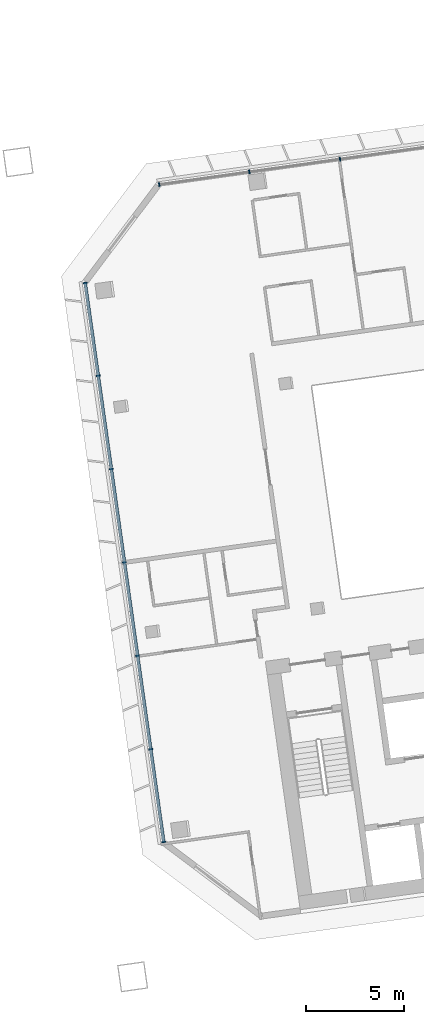
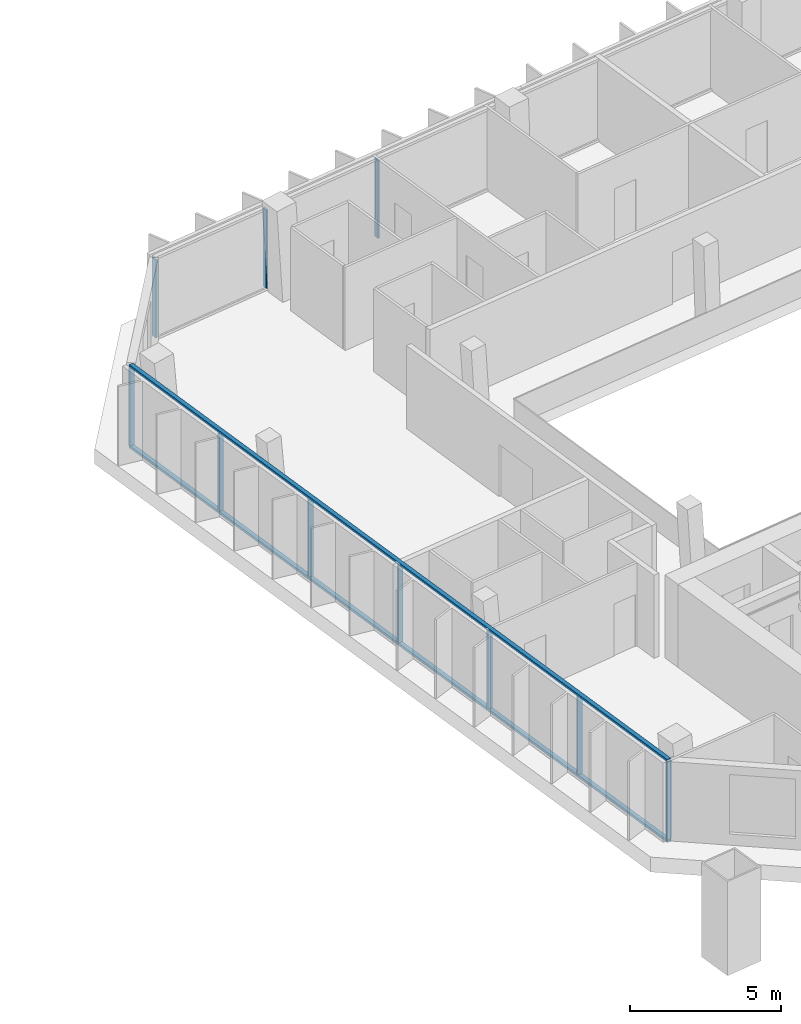
# One storey, part 7 of 22: 12 members, 2 elements without a shape of their own.
"""IFC4 building model written with IfcOpenShell, lengths in metres."""

from ifc_helpers import new_model, si_unit, direction, frame, origin, origin_2d, place, context, subcontext, project, spatial, rectangle, extrude, material, material_profile, profile_set, type_object, element, aggregate, save


model = new_model("IFC4")

# Units and contexts
model_context = context("Model", 3, precision=1e-05, world=origin(), true_north=direction((0.0, 1.0)))
body_context = subcontext(model_context, "Body", "Model", "MODEL_VIEW")
ifc_project = project(units=[si_unit("LENGTHUNIT", "METRE"), si_unit("AREAUNIT", "SQUARE_METRE"), si_unit("VOLUMEUNIT", "CUBIC_METRE"), si_unit("PLANEANGLEUNIT", "RADIAN"), si_unit("MASSUNIT", "GRAM", prefix="KILO")], contexts=[model_context])

# Site, building, storey
site_placement = place(None, origin())
site = spatial("IfcSite", under=ifc_project, at=site_placement, CompositionType="ELEMENT")
building_placement = place(site_placement, origin())
building = spatial("IfcBuilding", under=site, at=building_placement, Name="Mirante Cascada Hotel Towers", CompositionType="ELEMENT")
storey_placement = place(building_placement, frame((0.0, 0.0, 191.6)))
storey = spatial("IfcBuildingStorey", under=building, at=storey_placement, Name="L45", CompositionType="ELEMENT", Elevation=191.6)

# Curtain wall, members
ifc_material_1 = material(Name="Aluminium mullion and transom frame with clear laminated glass", Category="aluminium")
curtain_wall_type_1 = type_object("IfcCurtainWallType", Name="Ribbon curtain wall ECW1", PredefinedType="NOTDEFINED", material=ifc_material_1)
curtain_wall_1_placement = place(storey_placement, origin())
curtain_wall_1 = element("IfcCurtainWall", 1, at=curtain_wall_1_placement, inside=storey, type_object=curtain_wall_type_1, Name="Front ribbon wall T2 L45", PredefinedType="NOTDEFINED")
ifc_material_2 = material(Name="Anodised aluminium extrusion", Category="aluminium")
ifc_material_profile_1 = material_profile(ifc_material_2, rectangle(XDim=0.2, YDim=0.065, at=origin_2d()), Name="ECW1 MULLION 65x200")
ifc_profile_set_1 = profile_set([ifc_material_profile_1], Name="Anodised aluminium extrusion")
member_type_1 = type_object("IfcMemberType", Name="ECW1 mullion 65x200", PredefinedType="MULLION", material=ifc_profile_set_1)
member_1_placement = place(storey_placement, frame((39.3014, 18.3425, 0.1), z_axis=(0.0, 0.0, 1.0), x_axis=(0.1391731, -0.9902681, 0.0)))
member_1 = element("IfcMember", 2, at=member_1_placement, type_object=member_type_1, Name="ECW1 mullion 9", PredefinedType="MULLION", context=body_context, shape_type="SweptSolid", body=[
    extrude(rectangle(XDim=0.2, YDim=0.065, at=origin_2d()), origin(), (0.0, 0.0, 1.0), 3.15),
])
member_2_placement = place(storey_placement, frame((34.6724, 17.6919, 0.1), z_axis=(0.0, 0.0, 1.0), x_axis=(0.1391731, -0.9902681, 0.0)))
member_2 = element("IfcMember", 3, at=member_2_placement, type_object=member_type_1, Name="ECW1 mullion 10", PredefinedType="MULLION", context=body_context, shape_type="SweptSolid", body=[
    extrude(rectangle(XDim=0.2, YDim=0.065, at=origin_2d()), origin(), (0.0, 0.0, 1.0), 3.15),
])
member_3_placement = place(storey_placement, frame((30.0756, 17.0459, 0.1), z_axis=(0.0, 0.0, 1.0), x_axis=(0.1391731, -0.9902681, 0.0)))
member_3 = element("IfcMember", 4, at=member_3_placement, type_object=member_type_1, Name="ECW1 mullion 11", PredefinedType="MULLION", context=body_context, shape_type="SweptSolid", body=[
    extrude(rectangle(XDim=0.2, YDim=0.065, at=origin_2d()), origin(), (0.0, 0.0, 1.0), 3.15),
])
aggregate(curtain_wall_1, [member_1, member_2, member_3])

ifc_material_3 = material(Name="Aluminium mullion and transom frame with clear laminated glass", Category="aluminium")
curtain_wall_type_2 = type_object("IfcCurtainWallType", Name="End ribbon curtain wall ECW2", PredefinedType="NOTDEFINED", material=ifc_material_3)
curtain_wall_2_placement = place(storey_placement, origin())
curtain_wall_2 = element("IfcCurtainWall", 5, at=curtain_wall_2_placement, inside=storey, type_object=curtain_wall_type_2, Name="Inner end wall T2 L45", PredefinedType="NOTDEFINED")
ifc_material_4 = material(Name="Anodised aluminium extrusion", Category="aluminium")
ifc_material_profile_2 = material_profile(ifc_material_4, rectangle(XDim=0.2, YDim=0.065, at=origin_2d()), Name="ECW2 MULLION 65x200")
ifc_profile_set_2 = profile_set([ifc_material_profile_2], Name="Anodised aluminium extrusion")
member_type_2 = type_object("IfcMemberType", Name="ECW2 mullion 65x200", PredefinedType="MULLION", material=ifc_profile_set_2)
member_4_placement = place(storey_placement, frame((26.2928, 12.0259, 0.1), z_axis=(0.0, 0.0, 1.0), x_axis=(0.9902681, 0.1391731, 0.0)))
member_4 = element("IfcMember", 6, at=member_4_placement, type_object=member_type_2, Name="ECW2 mullion 1", PredefinedType="MULLION", context=body_context, shape_type="SweptSolid", body=[
    extrude(rectangle(XDim=0.2, YDim=0.065, at=origin_2d()), origin(), (0.0, 0.0, 1.0), 3.15),
])
member_5_placement = place(storey_placement, frame((26.9581, 7.2923, 0.1), z_axis=(0.0, 0.0, 1.0), x_axis=(0.9902681, 0.1391731, 0.0)))
member_5 = element("IfcMember", 7, at=member_5_placement, type_object=member_type_2, Name="ECW2 mullion 2", PredefinedType="MULLION", context=body_context, shape_type="SweptSolid", body=[
    extrude(rectangle(XDim=0.2, YDim=0.065, at=origin_2d()), origin(), (0.0, 0.0, 1.0), 3.15),
])
member_6_placement = place(storey_placement, frame((27.6279, 2.5265, 0.1), z_axis=(0.0, 0.0, 1.0), x_axis=(0.9902681, 0.1391731, 0.0)))
member_6 = element("IfcMember", 8, at=member_6_placement, type_object=member_type_2, Name="ECW2 mullion 3", PredefinedType="MULLION", context=body_context, shape_type="SweptSolid", body=[
    extrude(rectangle(XDim=0.2, YDim=0.065, at=origin_2d()), origin(), (0.0, 0.0, 1.0), 3.15),
])
member_7_placement = place(storey_placement, frame((28.2976, -2.2393, 0.1), z_axis=(0.0, 0.0, 1.0), x_axis=(0.9902681, 0.1391731, 0.0)))
member_7 = element("IfcMember", 9, at=member_7_placement, type_object=member_type_2, Name="ECW2 mullion 4", PredefinedType="MULLION", context=body_context, shape_type="SweptSolid", body=[
    extrude(rectangle(XDim=0.2, YDim=0.065, at=origin_2d()), origin(), (0.0, 0.0, 1.0), 3.15),
])
member_8_placement = place(storey_placement, frame((28.9674, -7.005, 0.1), z_axis=(0.0, 0.0, 1.0), x_axis=(0.9902681, 0.1391731, 0.0)))
member_8 = element("IfcMember", 10, at=member_8_placement, type_object=member_type_2, Name="ECW2 mullion 5", PredefinedType="MULLION", context=body_context, shape_type="SweptSolid", body=[
    extrude(rectangle(XDim=0.2, YDim=0.065, at=origin_2d()), origin(), (0.0, 0.0, 1.0), 3.15),
])
member_9_placement = place(storey_placement, frame((29.6372, -11.7708, 0.1), z_axis=(0.0, 0.0, 1.0), x_axis=(0.9902681, 0.1391731, 0.0)))
member_9 = element("IfcMember", 11, at=member_9_placement, type_object=member_type_2, Name="ECW2 mullion 6", PredefinedType="MULLION", context=body_context, shape_type="SweptSolid", body=[
    extrude(rectangle(XDim=0.2, YDim=0.065, at=origin_2d()), origin(), (0.0, 0.0, 1.0), 3.15),
])
member_10_placement = place(storey_placement, frame((30.3025, -16.5044, 0.1), z_axis=(0.0, 0.0, 1.0), x_axis=(0.9902681, 0.1391731, 0.0)))
member_10 = element("IfcMember", 12, at=member_10_placement, type_object=member_type_2, Name="ECW2 mullion 7", PredefinedType="MULLION", context=body_context, shape_type="SweptSolid", body=[
    extrude(rectangle(XDim=0.2, YDim=0.065, at=origin_2d()), origin(), (0.0, 0.0, 1.0), 3.15),
])
ifc_material_5 = material(Name="Anodised aluminium extrusion", Category="aluminium")
ifc_material_profile_3 = material_profile(ifc_material_5, rectangle(XDim=0.16, YDim=0.1, at=origin_2d()), Name="ECW2 TRANSOM 100x160")
ifc_profile_set_3 = profile_set([ifc_material_profile_3], Name="Anodised aluminium extrusion")
member_type_3 = type_object("IfcMemberType", Name="ECW2 transom 100x160", PredefinedType="USERDEFINED", material=ifc_profile_set_3)
member_11_placement = place(storey_placement, frame((26.2883, 12.0581, 0.05), z_axis=(0.1391723, -0.9902682, 0.0), x_axis=(0.9902682, 0.1391723, 0.0)))
member_11 = element("IfcMember", 13, at=member_11_placement, type_object=member_type_3, Name="ECW2 sill transom", ObjectType="TRANSOM", PredefinedType="USERDEFINED", context=body_context, shape_type="SweptSolid", body=[
    extrude(rectangle(XDim=0.16, YDim=0.1, at=origin_2d()), origin(), (0.0, 0.0, 1.0), 28.8757),
])
member_12_placement = place(storey_placement, frame((26.2883, 12.0581, 3.3), z_axis=(0.1391723, -0.9902682, 0.0), x_axis=(0.9902682, 0.1391723, 0.0)))
member_12 = element("IfcMember", 14, at=member_12_placement, type_object=member_type_3, Name="ECW2 head transom", ObjectType="TRANSOM", PredefinedType="USERDEFINED", context=body_context, shape_type="SweptSolid", body=[
    extrude(rectangle(XDim=0.16, YDim=0.1, at=origin_2d()), origin(), (0.0, 0.0, 1.0), 28.8757),
])
aggregate(curtain_wall_2, [member_11, member_12, member_4, member_5, member_6, member_7, member_8, member_9, member_10])

save(model, "model.ifc")
